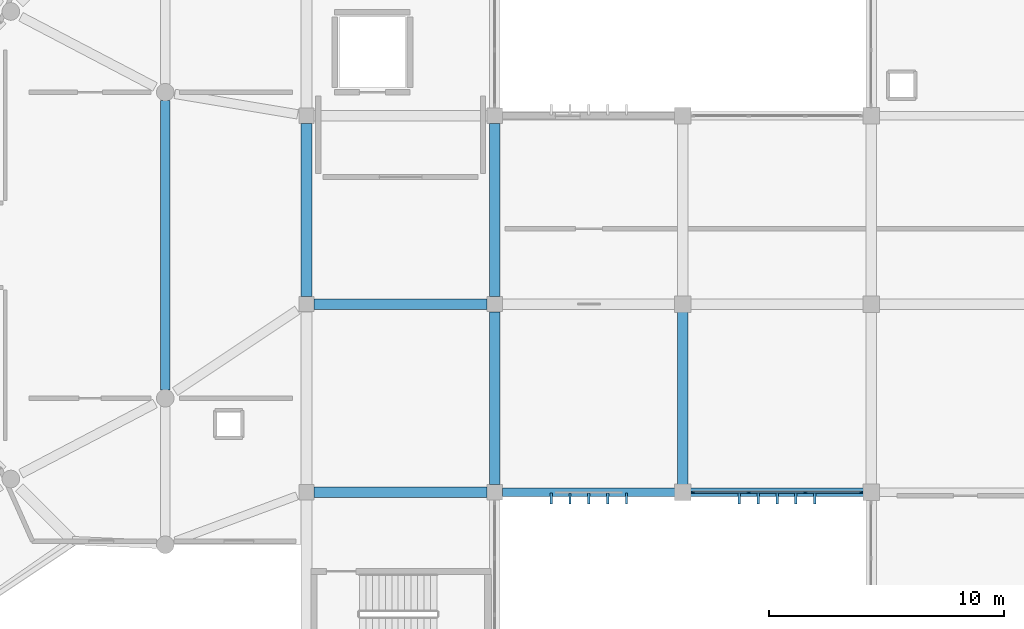
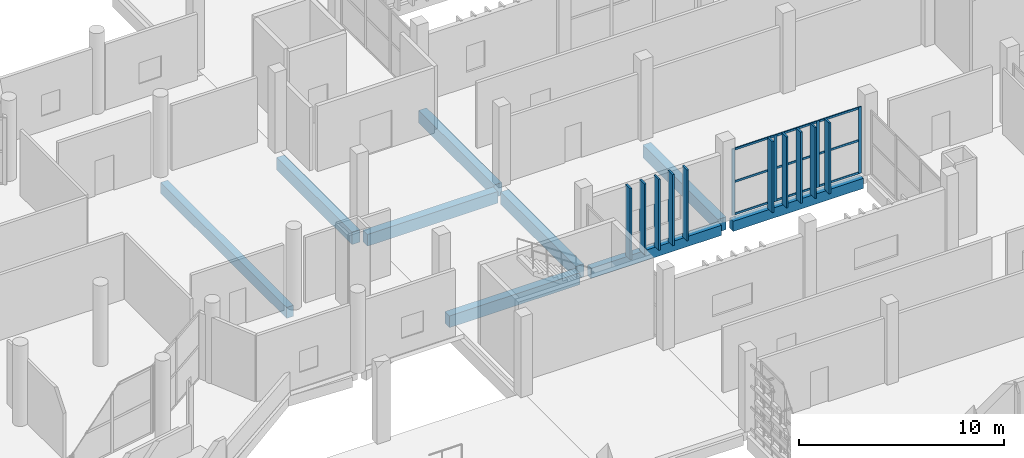
# One storey, part 29 of 106: 23 members, 9 beams, 1 element without a shape of its own.
"""IFC4 building model written with IfcOpenShell, lengths in metres."""

from ifc_helpers import new_model, si_unit, direction, frame, origin, origin_2d, place, context, subcontext, project, spatial, rectangle, extrude, material, layer, layer_set, material_profile, profile_set, type_object, element, aggregate, save


model = new_model("IFC4")

# Units and contexts
model_context = context("Model", 3, precision=1e-05, world=origin(), true_north=direction((0.0, 1.0)))
body_context = subcontext(model_context, "Body", "Model", "MODEL_VIEW")
ifc_project = project(units=[si_unit("LENGTHUNIT", "METRE"), si_unit("AREAUNIT", "SQUARE_METRE"), si_unit("VOLUMEUNIT", "CUBIC_METRE"), si_unit("PLANEANGLEUNIT", "RADIAN"), si_unit("MASSUNIT", "GRAM", prefix="KILO")], contexts=[model_context])

# Site, building, storey
site_placement = place(None, origin())
site = spatial("IfcSite", under=ifc_project, at=site_placement, CompositionType="ELEMENT")
building_placement = place(site_placement, origin())
building = spatial("IfcBuilding", under=site, at=building_placement, Name="Jelvoka-Kovrelna Polytechnic", CompositionType="ELEMENT")
storey_placement = place(building_placement, frame((0.0, 0.0, 4.800048828125)))
storey = spatial("IfcBuildingStorey", under=building, at=storey_placement, Name="L02", CompositionType="ELEMENT", Elevation=4.800048828125)

# Beams
ifc_material_1 = material(Name="Concrete C40/50", Category="concrete")
ifc_material_profile_1 = material_profile(ifc_material_1, rectangle(XDim=0.39990234375, YDim=0.64990234375, at=origin_2d()), Name="RC 400x650")
ifc_profile_set_1 = profile_set([ifc_material_profile_1], Name="Concrete C40/50")
beam_type_1 = type_object("IfcBeamType", Name="Beam_RC_400x650", PredefinedType="BEAM", material=ifc_profile_set_1)
beam_placement = place(storey_placement, frame((42.0, 36.35498046875, -0.574951171875), z_axis=(0.0, 1.0, 0.0), x_axis=(-1.0, 0.0, 0.0)))
element("IfcBeam", 1, at=beam_placement, inside=storey, type_object=beam_type_1, Name="L02 beam 2462", PredefinedType="BEAM", context=body_context, shape_type="SweptSolid", body=[
    extrude(rectangle(XDim=0.39990234375, YDim=0.64990234375, at=origin_2d()), origin(), (0.0, 0.0, 1.0), 12.2900390625),
])
ifc_material_2 = material(Name="Concrete C40/50", Category="concrete")
ifc_material_profile_2 = material_profile(ifc_material_2, rectangle(XDim=0.449951171875, YDim=0.699951171875, at=origin_2d()), Name="RC 450x700")
ifc_profile_set_2 = profile_set([ifc_material_profile_2], Name="Concrete C40/50")
beam_type_2 = type_object("IfcBeamType", Name="Beam_RC_450x700", PredefinedType="BEAM", material=ifc_profile_set_2)
for number, where, z_axis, x_axis, name in (
    (2, (48.330078125, 32.0, -0.614990234375), (1.0, 0.0, 0.0), (0.0, 1.0, 0.0), "L02 beam 0841"),
    (3, (48.330078125, 40.0, -0.614990234375), (1.0, 0.0, 0.0), (0.0, 1.0, 0.0), "L02 beam 0842"),
):
    element("IfcBeam", number, at=place(storey_placement, frame(where, z_axis=z_axis, x_axis=x_axis)), inside=storey, type_object=beam_type_2, Name=name, PredefinedType="BEAM", context=body_context, shape_type="SweptSolid", body=[
        extrude(rectangle(XDim=0.449951171875, YDim=0.699951171875, at=origin_2d()), origin(), (0.0, 0.0, 1.0), 7.33984375),
    ])
ifc_material_3 = material(Name="Concrete C40/50", Category="concrete")
ifc_material_profile_3 = material_profile(ifc_material_3, rectangle(XDim=0.449951171875, YDim=0.75, at=origin_2d()), Name="RC 450x750")
ifc_profile_set_3 = profile_set([ifc_material_profile_3], Name="Concrete C40/50")
beam_type_3 = type_object("IfcBeamType", Name="Beam_RC_450x750", PredefinedType="BEAM", material=ifc_profile_set_3)
for number, where, z_axis, x_axis, name in (
    (4, (56.0, 32.330078125, -0.64013671875), (0.0, 1.0, 0.0), (-1.0, 0.0, 0.0), "L02 beam 0698"),
    (5, (56.0, 40.330078125, -0.64013671875), (0.0, 1.0, 0.0), (-1.0, 0.0, 0.0), "L02 beam 0699"),
    (6, (64.0, 32.330078125, -0.64013671875), (0.0, 1.0, 0.0), (-1.0, 0.0, 0.0), "L02 beam 0700"),
    (7, (48.0, 40.330078125, -0.64013671875), (0.0, 1.0, 0.0), (-1.0, 0.0, 0.0), "L02 beam 0849"),
):
    element("IfcBeam", number, at=place(storey_placement, frame(where, z_axis=z_axis, x_axis=x_axis)), inside=storey, type_object=beam_type_3, Name=name, PredefinedType="BEAM", context=body_context, shape_type="SweptSolid", body=[
        extrude(rectangle(XDim=0.449951171875, YDim=0.75, at=origin_2d()), origin(), (0.0, 0.0, 1.0), 7.33984375),
    ])

# Members
ifc_material_4 = material(Name="Precast concrete C40/50", Category="concrete")
ifc_material_profile_4 = material_profile(ifc_material_4, rectangle(XDim=0.10009765625, YDim=0.449951171875, at=origin_2d()), Name="PC 100x450")
ifc_profile_set_4 = profile_set([ifc_material_profile_4], Name="Precast concrete C40/50")
member_type_1 = type_object("IfcMemberType", Name="Louvre_Fin_100x450", PredefinedType="USERDEFINED", material=ifc_profile_set_4)
for number, where, z_axis, x_axis, name in (
    (8, (58.39990234375, 31.735107421875, -0.27001953125), (0.0, 0.0, 1.0), (1.0, 0.0, 0.0), "L02 B2W south vertical solar louvre fin 0601"),
    (9, (59.199951171875, 31.735107421875, -0.27001953125), (0.0, 0.0, 1.0), (1.0, 0.0, 0.0), "L02 B2W south vertical solar louvre fin 0602"),
    (10, (60.0, 31.735107421875, -0.27001953125), (0.0, 0.0, 1.0), (1.0, 0.0, 0.0), "L02 B2W south vertical solar louvre fin 0603"),
    (11, (60.800048828125, 31.735107421875, -0.27001953125), (0.0, 0.0, 1.0), (1.0, 0.0, 0.0), "L02 B2W south vertical solar louvre fin 0604"),
    (12, (61.60009765625, 31.735107421875, -0.27001953125), (0.0, 0.0, 1.0), (1.0, 0.0, 0.0), "L02 B2W south vertical solar louvre fin 0605"),
    (13, (66.39990234375, 31.735107421875, -0.27001953125), (0.0, 0.0, 1.0), (1.0, 0.0, 0.0), "L02 B2W south vertical solar louvre fin 0611"),
    (14, (67.199951171875, 31.735107421875, -0.27001953125), (0.0, 0.0, 1.0), (1.0, 0.0, 0.0), "L02 B2W south vertical solar louvre fin 0612"),
    (15, (68.0, 31.735107421875, -0.27001953125), (0.0, 0.0, 1.0), (1.0, 0.0, 0.0), "L02 B2W south vertical solar louvre fin 0613"),
    (16, (68.800048828125, 31.735107421875, -0.27001953125), (0.0, 0.0, 1.0), (1.0, 0.0, 0.0), "L02 B2W south vertical solar louvre fin 0614"),
    (17, (69.60009765625, 31.735107421875, -0.27001953125), (0.0, 0.0, 1.0), (1.0, 0.0, 0.0), "L02 B2W south vertical solar louvre fin 0615"),
):
    element("IfcMember", number, at=place(storey_placement, frame(where, z_axis=z_axis, x_axis=x_axis)), inside=storey, type_object=member_type_1, Name=name, ObjectType="SUNSHADE", PredefinedType="USERDEFINED", context=body_context, shape_type="SweptSolid", body=[
        extrude(rectangle(XDim=0.10009765625, YDim=0.449951171875, at=origin_2d()), origin(), (0.0, 0.0, 1.0), 4.22998046875),
    ])

# Curtain wall, members
ifc_material_5 = material(Name="Anodised aluminium 6063-T6", Category="aluminium")
ifc_layer = layer(ifc_material_5, 0.159912109375)
ifc_layer_set = layer_set([ifc_layer], Name="Anodised aluminium 6063-T6")
curtain_wall_type = type_object("IfcCurtainWallType", Name="CW_Recessed_A", PredefinedType="NOTDEFINED", material=ifc_layer_set)
curtain_wall_placement = place(storey_placement, origin())
curtain_wall = element("IfcCurtainWall", 18, at=curtain_wall_placement, inside=storey, type_object=curtain_wall_type, Name="L02 glazed curtain wall 015", PredefinedType="NOTDEFINED")
ifc_material_6 = material(Name="Anodised aluminium 6063-T6", Category="aluminium")
ifc_material_profile_5 = material_profile(ifc_material_6, rectangle(XDim=0.06005859375, YDim=0.159912109375, at=origin_2d()), Name="ALU 60x160")
ifc_profile_set_5 = profile_set([ifc_material_profile_5], Name="Anodised aluminium 6063-T6")
member_type_2 = type_object("IfcMemberType", Name="Mullion_M-01", PredefinedType="MULLION", material=ifc_profile_set_5)
member_1_placement = place(storey_placement, frame((71.570068359375, 32.0, -0.02490234375), z_axis=(0.0, 0.0, 1.0), x_axis=(0.0, -1.0, 0.0)))
member_1 = element("IfcMember", 19, at=member_1_placement, type_object=member_type_2, Name="CW-01 mullion 1", PredefinedType="MULLION", context=body_context, shape_type="SweptSolid", body=[
    extrude(rectangle(XDim=0.06005859375, YDim=0.159912109375, at=origin_2d()), origin(), (0.0, 0.0, 1.0), 3.9599609375),
])
member_2_placement = place(storey_placement, frame((69.199951171875, 32.0, -0.02490234375), z_axis=(0.0, 0.0, 1.0), x_axis=(0.0, -1.0, 0.0)))
member_2 = element("IfcMember", 20, at=member_2_placement, type_object=member_type_2, Name="CW-01 mullion 2", PredefinedType="MULLION", context=body_context, shape_type="SweptSolid", body=[
    extrude(rectangle(XDim=0.06005859375, YDim=0.159912109375, at=origin_2d()), origin(), (0.0, 0.0, 1.0), 3.9599609375),
])
member_3_placement = place(storey_placement, frame((66.800048828125, 32.0, -0.02490234375), z_axis=(0.0, 0.0, 1.0), x_axis=(0.0, -1.0, 0.0)))
member_3 = element("IfcMember", 21, at=member_3_placement, type_object=member_type_2, Name="CW-01 mullion 3", PredefinedType="MULLION", context=body_context, shape_type="SweptSolid", body=[
    extrude(rectangle(XDim=0.06005859375, YDim=0.159912109375, at=origin_2d()), origin(), (0.0, 0.0, 1.0), 3.9599609375),
])
member_4_placement = place(storey_placement, frame((64.429931640625, 32.0, -0.02490234375), z_axis=(0.0, 0.0, 1.0), x_axis=(0.0, -1.0, 0.0)))
member_4 = element("IfcMember", 22, at=member_4_placement, type_object=member_type_2, Name="CW-01 mullion 4", PredefinedType="MULLION", context=body_context, shape_type="SweptSolid", body=[
    extrude(rectangle(XDim=0.06005859375, YDim=0.159912109375, at=origin_2d()), origin(), (0.0, 0.0, 1.0), 3.9599609375),
])

# Beams
ifc_material_7 = material(Name="Concrete C40/50", Category="concrete")
ifc_material_profile_6 = material_profile(ifc_material_7, rectangle(XDim=0.35009765625, YDim=0.60009765625, at=origin_2d()), Name="RC 350x600")
ifc_profile_set_6 = profile_set([ifc_material_profile_6], Name="Concrete C40/50")
beam_type_4 = type_object("IfcBeamType", Name="Spandrel_RC_350x600", PredefinedType="SPANDREL", material=ifc_profile_set_6)
for number, where, z_axis, x_axis, name in (
    (23, (56.330078125, 32.0, -0.56494140625), (1.0, 0.0, 0.0), (0.0, 1.0, 0.0), "L02 beam 0678"),
    (24, (64.330078125, 32.0, -0.56494140625), (1.0, 0.0, 0.0), (0.0, 1.0, 0.0), "L02 beam 0679"),
):
    element("IfcBeam", number, at=place(storey_placement, frame(where, z_axis=z_axis, x_axis=x_axis)), inside=storey, type_object=beam_type_4, Name=name, PredefinedType="SPANDREL", context=body_context, shape_type="SweptSolid", body=[
        extrude(rectangle(XDim=0.35009765625, YDim=0.60009765625, at=origin_2d()), origin(), (0.0, 0.0, 1.0), 7.33984375),
    ])

# Member
ifc_material_8 = material(Name="Anodised aluminium 6063-T6", Category="aluminium")
ifc_material_profile_7 = material_profile(ifc_material_8, rectangle(XDim=0.06005859375, YDim=0.1201171875, at=origin_2d()), Name="ALU 60x120")
ifc_profile_set_7 = profile_set([ifc_material_profile_7], Name="Anodised aluminium 6063-T6")
member_type_3 = type_object("IfcMemberType", Name="Transom_T-01", PredefinedType="USERDEFINED", material=ifc_profile_set_7)
member_5_placement = place(storey_placement, frame((71.5400390625, 32.0, 0.030029296875), z_axis=(-1.0, 0.0, 0.0), x_axis=(0.0, -1.0, 0.0)))
member_5 = element("IfcMember", 25, at=member_5_placement, type_object=member_type_3, Name="CW-01 transom 1.1", ObjectType="TRANSOM", PredefinedType="USERDEFINED", context=body_context, shape_type="SweptSolid", body=[
    extrude(rectangle(XDim=0.06005859375, YDim=0.1201171875, at=origin_2d()), origin(), (0.0, 0.0, 1.0), 2.31005859375),
])

member_6_placement = place(storey_placement, frame((71.5400390625, 32.0, 1.954833984375), z_axis=(-1.0, 0.0, 0.0), x_axis=(0.0, -1.0, 0.0)))
member_6 = element("IfcMember", 26, at=member_6_placement, type_object=member_type_3, Name="CW-01 transom 1.2", ObjectType="TRANSOM", PredefinedType="USERDEFINED", context=body_context, shape_type="SweptSolid", body=[
    extrude(rectangle(XDim=0.06005859375, YDim=0.1201171875, at=origin_2d()), origin(), (0.0, 0.0, 1.0), 2.31005859375),
])

member_7_placement = place(storey_placement, frame((71.5400390625, 32.0, 3.8798828125), z_axis=(-1.0, 0.0, 0.0), x_axis=(0.0, -1.0, 0.0)))
member_7 = element("IfcMember", 27, at=member_7_placement, type_object=member_type_3, Name="CW-01 transom 1.3", ObjectType="TRANSOM", PredefinedType="USERDEFINED", context=body_context, shape_type="SweptSolid", body=[
    extrude(rectangle(XDim=0.06005859375, YDim=0.1201171875, at=origin_2d()), origin(), (0.0, 0.0, 1.0), 2.31005859375),
])

member_8_placement = place(storey_placement, frame((69.169921875, 32.0, 0.030029296875), z_axis=(-1.0, 0.0, 0.0), x_axis=(0.0, -1.0, 0.0)))
member_8 = element("IfcMember", 28, at=member_8_placement, type_object=member_type_3, Name="CW-01 transom 2.1", ObjectType="TRANSOM", PredefinedType="USERDEFINED", context=body_context, shape_type="SweptSolid", body=[
    extrude(rectangle(XDim=0.06005859375, YDim=0.1201171875, at=origin_2d()), origin(), (0.0, 0.0, 1.0), 2.33984375),
])

member_9_placement = place(storey_placement, frame((69.169921875, 32.0, 1.954833984375), z_axis=(-1.0, 0.0, 0.0), x_axis=(0.0, -1.0, 0.0)))
member_9 = element("IfcMember", 29, at=member_9_placement, type_object=member_type_3, Name="CW-01 transom 2.2", ObjectType="TRANSOM", PredefinedType="USERDEFINED", context=body_context, shape_type="SweptSolid", body=[
    extrude(rectangle(XDim=0.06005859375, YDim=0.1201171875, at=origin_2d()), origin(), (0.0, 0.0, 1.0), 2.33984375),
])

member_10_placement = place(storey_placement, frame((69.169921875, 32.0, 3.8798828125), z_axis=(-1.0, 0.0, 0.0), x_axis=(0.0, -1.0, 0.0)))
member_10 = element("IfcMember", 30, at=member_10_placement, type_object=member_type_3, Name="CW-01 transom 2.3", ObjectType="TRANSOM", PredefinedType="USERDEFINED", context=body_context, shape_type="SweptSolid", body=[
    extrude(rectangle(XDim=0.06005859375, YDim=0.1201171875, at=origin_2d()), origin(), (0.0, 0.0, 1.0), 2.33984375),
])

member_11_placement = place(storey_placement, frame((66.77001953125, 32.0, 0.030029296875), z_axis=(-1.0, 0.0, 0.0), x_axis=(0.0, -1.0, 0.0)))
member_11 = element("IfcMember", 31, at=member_11_placement, type_object=member_type_3, Name="CW-01 transom 3.1", ObjectType="TRANSOM", PredefinedType="USERDEFINED", context=body_context, shape_type="SweptSolid", body=[
    extrude(rectangle(XDim=0.06005859375, YDim=0.1201171875, at=origin_2d()), origin(), (0.0, 0.0, 1.0), 2.31005859375),
])

member_12_placement = place(storey_placement, frame((66.77001953125, 32.0, 1.954833984375), z_axis=(-1.0, 0.0, 0.0), x_axis=(0.0, -1.0, 0.0)))
member_12 = element("IfcMember", 32, at=member_12_placement, type_object=member_type_3, Name="CW-01 transom 3.2", ObjectType="TRANSOM", PredefinedType="USERDEFINED", context=body_context, shape_type="SweptSolid", body=[
    extrude(rectangle(XDim=0.06005859375, YDim=0.1201171875, at=origin_2d()), origin(), (0.0, 0.0, 1.0), 2.31005859375),
])

member_13_placement = place(storey_placement, frame((66.77001953125, 32.0, 3.8798828125), z_axis=(-1.0, 0.0, 0.0), x_axis=(0.0, -1.0, 0.0)))
member_13 = element("IfcMember", 33, at=member_13_placement, type_object=member_type_3, Name="CW-01 transom 3.3", ObjectType="TRANSOM", PredefinedType="USERDEFINED", context=body_context, shape_type="SweptSolid", body=[
    extrude(rectangle(XDim=0.06005859375, YDim=0.1201171875, at=origin_2d()), origin(), (0.0, 0.0, 1.0), 2.31005859375),
])

aggregate(curtain_wall, [member_1, member_2, member_3, member_4, member_5, member_6, member_7, member_8, member_9, member_10, member_11, member_12, member_13])

save(model, "model.ifc")
